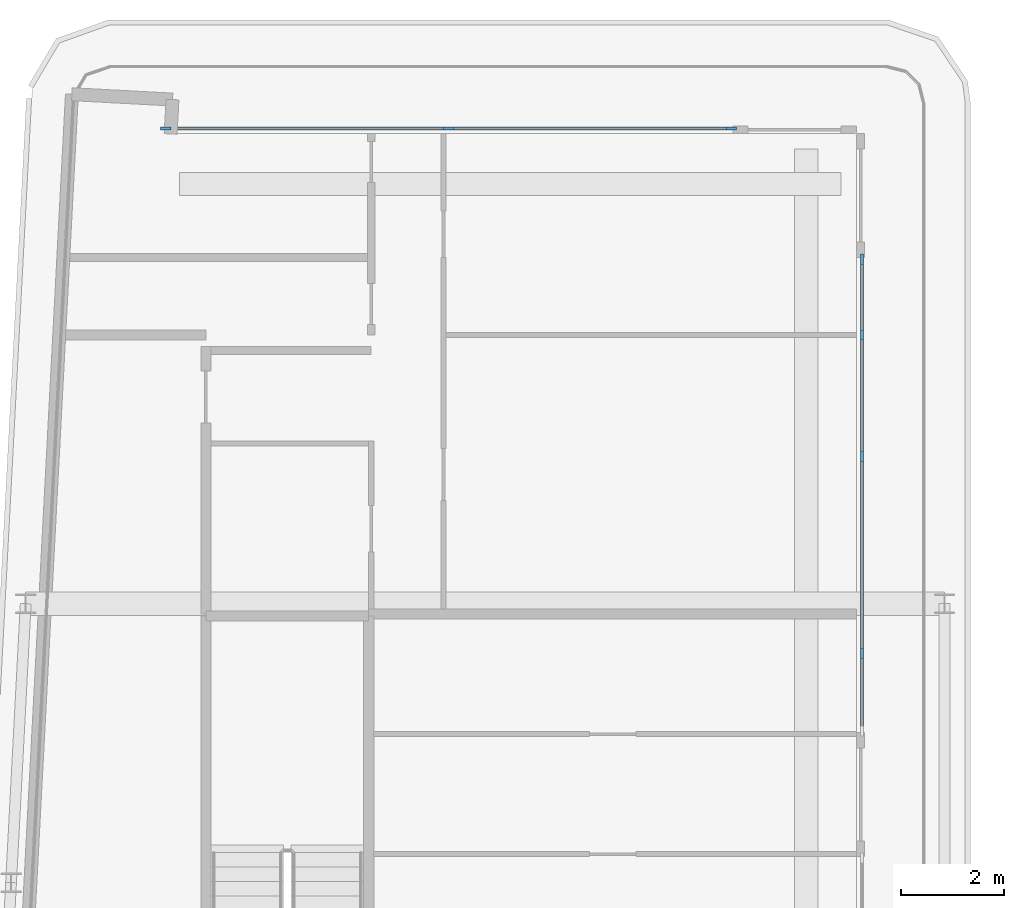
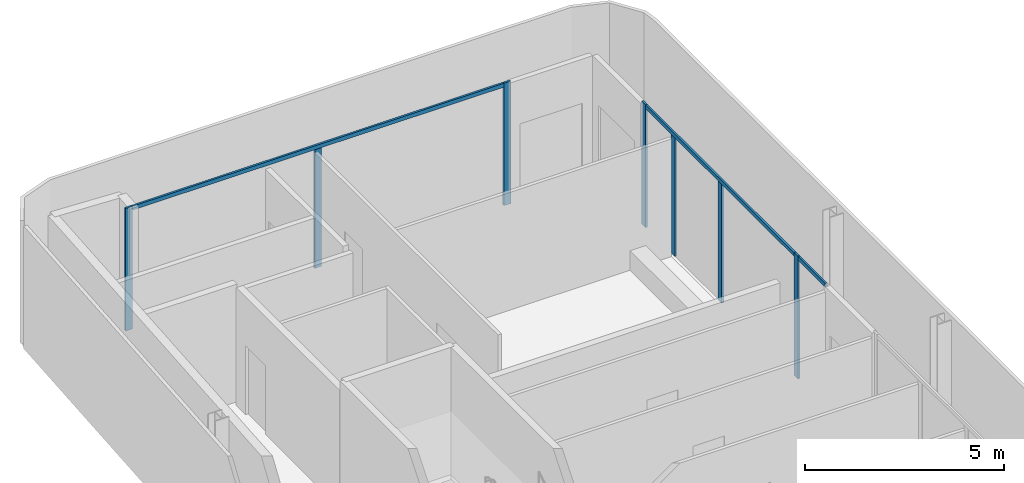
# One storey, part 8 of 21: 10 members, 3 elements without a shape of their own.
"""IFC4 building model written with IfcOpenShell, lengths in metres."""

from ifc_helpers import new_model, si_unit, direction, frame, origin, origin_2d, place, context, subcontext, project, spatial, rectangle, extrude, material, layer, layer_set, material_profile, profile_set, type_object, element, aggregate, save


model = new_model("IFC4")

# Units and contexts
model_context = context("Model", 3, precision=1e-05, world=origin(), true_north=direction((0.0, 1.0)))
body_context = subcontext(model_context, "Body", "Model", "MODEL_VIEW")
ifc_project = project(units=[si_unit("LENGTHUNIT", "METRE"), si_unit("AREAUNIT", "SQUARE_METRE"), si_unit("VOLUMEUNIT", "CUBIC_METRE"), si_unit("PLANEANGLEUNIT", "RADIAN"), si_unit("MASSUNIT", "GRAM", prefix="KILO")], contexts=[model_context])

# Site, building, storey
site_placement = place(None, origin())
site = spatial("IfcSite", under=ifc_project, at=site_placement, CompositionType="ELEMENT")
building_placement = place(site_placement, origin())
building = spatial("IfcBuilding", under=site, at=building_placement, Name="Kheshtan School and Residences Tower", CompositionType="ELEMENT")
storey_placement = place(building_placement, frame((0.0, 0.0, 321.5)))
storey = spatial("IfcBuildingStorey", under=building, at=storey_placement, Name="L76", CompositionType="ELEMENT", Elevation=321.5)

# Curtain wall, members
ifc_material_1 = material(Name="Clear low-e glass in thermally broken aluminium frame", Category="aluminium")
ifc_layer = layer(ifc_material_1, 0.199951171875)
ifc_layer_set = layer_set([ifc_layer], Name="Curtain wall CW-L")
curtain_wall_type = type_object("IfcCurtainWallType", Name="Curtain wall CW-L", PredefinedType="NOTDEFINED", material=ifc_layer_set)
curtain_wall_1_placement = place(storey_placement, origin())
curtain_wall_1 = element("IfcCurtainWall", 1, at=curtain_wall_1_placement, inside=storey, type_object=curtain_wall_type, Name="Curtain wall CWL7", PredefinedType="NOTDEFINED")
ifc_material_2 = material(Name="Thermally broken aluminium, dark bronze anodised", Category="aluminium")
ifc_material_profile_1 = material_profile(ifc_material_2, rectangle(XDim=0.06005859375, YDim=0.199951171875, at=origin_2d()), Name="CW-L mullion 60x200")
ifc_profile_set_1 = profile_set([ifc_material_profile_1], Name="Thermally broken aluminium, dark bronze anodised")
member_type_1 = type_object("IfcMemberType", Name="CW-L mullion 60x200", PredefinedType="MULLION", material=ifc_profile_set_1)
member_1_placement = place(storey_placement, frame((32.52197265625, 98.0, 0.0), z_axis=(0.0, 0.0, 1.0), x_axis=(0.0, 1.0, 0.0)))
member_1 = element("IfcMember", 2, at=member_1_placement, type_object=member_type_1, Name="CWL7 mullion 1", PredefinedType="MULLION", context=body_context, shape_type="SweptSolid", body=[
    extrude(rectangle(XDim=0.06005859375, YDim=0.199951171875, at=origin_2d()), origin(), (0.0, 0.0, 1.0), 3.75),
])
member_2_placement = place(storey_placement, frame((37.99609375, 98.0, 0.0), z_axis=(0.0, 0.0, 1.0), x_axis=(0.0, 1.0, 0.0)))
member_2 = element("IfcMember", 3, at=member_2_placement, type_object=member_type_1, Name="CWL7 mullion 2", PredefinedType="MULLION", context=body_context, shape_type="SweptSolid", body=[
    extrude(rectangle(XDim=0.06005859375, YDim=0.199951171875, at=origin_2d()), origin(), (0.0, 0.0, 1.0), 3.6298828125),
])
member_3_placement = place(storey_placement, frame((43.469970703125, 98.0, 0.0), z_axis=(0.0, 0.0, 1.0), x_axis=(0.0, 1.0, 0.0)))
member_3 = element("IfcMember", 4, at=member_3_placement, type_object=member_type_1, Name="CWL7 mullion 3", PredefinedType="MULLION", context=body_context, shape_type="SweptSolid", body=[
    extrude(rectangle(XDim=0.06005859375, YDim=0.199951171875, at=origin_2d()), origin(), (0.0, 0.0, 1.0), 3.75),
])

curtain_wall_2_placement = place(storey_placement, origin())
curtain_wall_2 = element("IfcCurtainWall", 5, at=curtain_wall_2_placement, inside=storey, type_object=curtain_wall_type, Name="Curtain wall CWL8c", PredefinedType="NOTDEFINED")
member_4_placement = place(storey_placement, frame((46.0, 95.469970703125, 0.0), z_axis=(0.0, 0.0, 1.0), x_axis=(1.0, 0.0, 0.0)))
member_4 = element("IfcMember", 6, at=member_4_placement, type_object=member_type_1, Name="CWL8c mullion 1", PredefinedType="MULLION", context=body_context, shape_type="SweptSolid", body=[
    extrude(rectangle(XDim=0.06005859375, YDim=0.199951171875, at=origin_2d()), origin(), (0.0, 0.0, 1.0), 3.75),
])
member_5_placement = place(storey_placement, frame((46.0, 94.0, 0.0), z_axis=(0.0, 0.0, 1.0), x_axis=(1.0, 0.0, 0.0)))
member_5 = element("IfcMember", 7, at=member_5_placement, type_object=member_type_1, Name="CWL8c mullion 2", PredefinedType="MULLION", context=body_context, shape_type="SweptSolid", body=[
    extrude(rectangle(XDim=0.06005859375, YDim=0.199951171875, at=origin_2d()), origin(), (0.0, 0.0, 1.0), 3.6298828125),
])
member_6_placement = place(storey_placement, frame((46.0, 91.653076171875, 0.0), z_axis=(0.0, 0.0, 1.0), x_axis=(1.0, 0.0, 0.0)))
member_6 = element("IfcMember", 8, at=member_6_placement, type_object=member_type_1, Name="CWL8c mullion 3", PredefinedType="MULLION", context=body_context, shape_type="SweptSolid", body=[
    extrude(rectangle(XDim=0.06005859375, YDim=0.199951171875, at=origin_2d()), origin(), (0.0, 0.0, 1.0), 3.6298828125),
])
member_7_placement = place(storey_placement, frame((46.0, 87.8359375, 0.0), z_axis=(0.0, 0.0, 1.0), x_axis=(1.0, 0.0, 0.0)))
member_7 = element("IfcMember", 9, at=member_7_placement, type_object=member_type_1, Name="CWL8c mullion 4", PredefinedType="MULLION", context=body_context, shape_type="SweptSolid", body=[
    extrude(rectangle(XDim=0.06005859375, YDim=0.199951171875, at=origin_2d()), origin(), (0.0, 0.0, 1.0), 3.75),
])

# Member
ifc_material_profile_2 = material_profile(ifc_material_2, rectangle(XDim=0.06005859375, YDim=0.1201171875, at=origin_2d()), Name="CW-L transom 60x120")
ifc_profile_set_2 = profile_set([ifc_material_profile_2], Name="Thermally broken aluminium, dark bronze anodised")
member_type_2 = type_object("IfcMemberType", Name="CW-L transom 60x120", PredefinedType="USERDEFINED", material=ifc_profile_set_2)
member_8_placement = place(storey_placement, frame((32.552001953125, 98.0, 3.68994140625), z_axis=(1.0, 0.0, 0.0), x_axis=(0.0, 1.0, 0.0)))
member_8 = element("IfcMember", 10, at=member_8_placement, type_object=member_type_2, Name="CWL7 transom 1", ObjectType="TRANSOM", PredefinedType="USERDEFINED", context=body_context, shape_type="SweptSolid", body=[
    extrude(rectangle(XDim=0.06005859375, YDim=0.1201171875, at=origin_2d()), origin(), (0.0, 0.0, 1.0), 10.887939453125),
])

aggregate(curtain_wall_1, [member_1, member_2, member_3, member_8])

member_9_placement = place(storey_placement, frame((46.0, 95.43994140625, 3.68994140625), z_axis=(0.0, -1.0, 0.0), x_axis=(1.0, 0.0, 0.0)))
member_9 = element("IfcMember", 11, at=member_9_placement, type_object=member_type_2, Name="CWL8c transom 1", ObjectType="TRANSOM", PredefinedType="USERDEFINED", context=body_context, shape_type="SweptSolid", body=[
    extrude(rectangle(XDim=0.06005859375, YDim=0.1201171875, at=origin_2d()), origin(), (0.0, 0.0, 1.0), 7.573974609375),
])

aggregate(curtain_wall_2, [member_4, member_5, member_6, member_7, member_9])

# Curtain wall, member
curtain_wall_3_placement = place(storey_placement, origin())
curtain_wall_3 = element("IfcCurtainWall", 12, at=curtain_wall_3_placement, inside=storey, type_object=curtain_wall_type, Name="Curtain wall CWL8a", PredefinedType="NOTDEFINED")
member_10_placement = place(storey_placement, frame((46.0, 87.805908203125, 3.68994140625), z_axis=(0.0, -1.0, 0.0), x_axis=(1.0, 0.0, 0.0)))
member_10 = element("IfcMember", 13, at=member_10_placement, type_object=member_type_2, Name="CWL8a transom 1", ObjectType="TRANSOM", PredefinedType="USERDEFINED", context=body_context, shape_type="SweptSolid", body=[
    extrude(rectangle(XDim=0.06005859375, YDim=0.1201171875, at=origin_2d()), origin(), (0.0, 0.0, 1.0), 1.43994140625),
])
aggregate(curtain_wall_3, [member_10])

save(model, "model.ifc")
